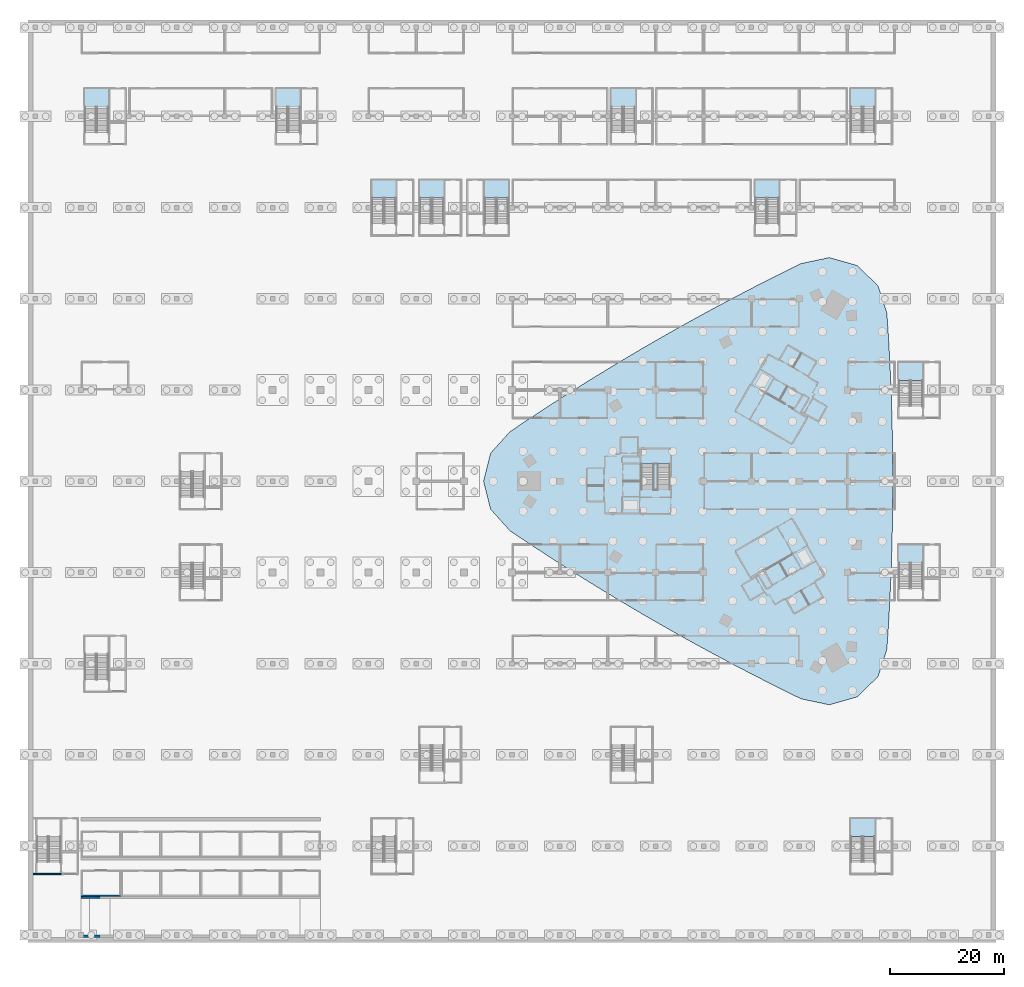
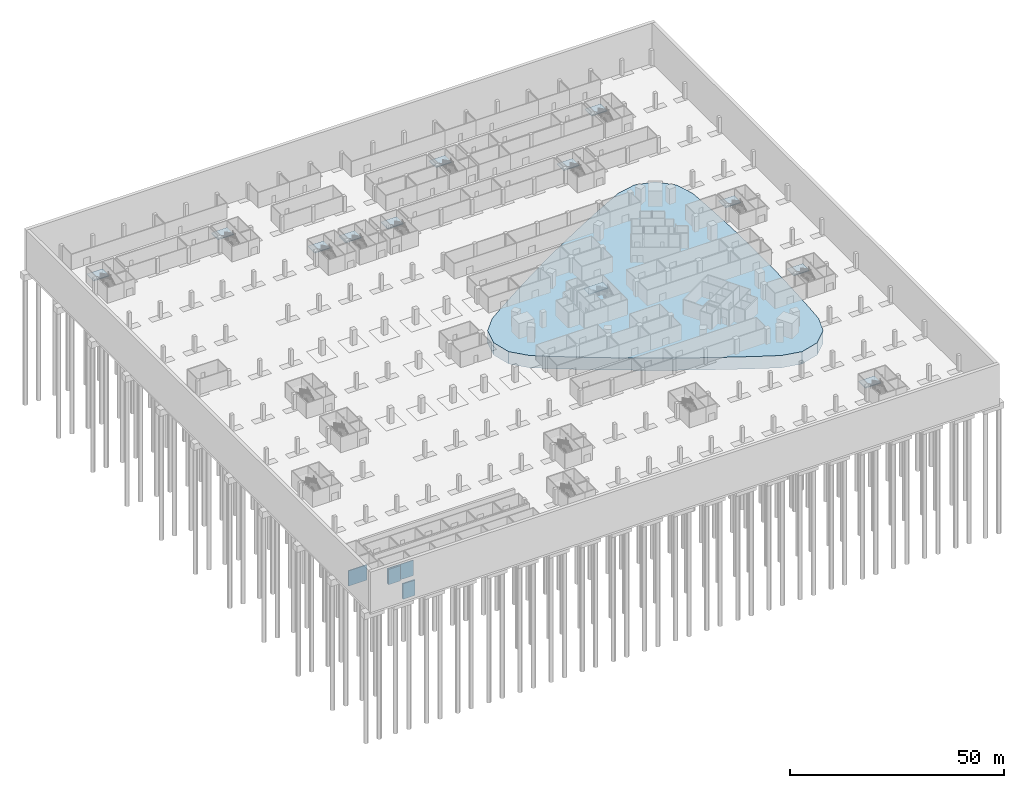
# One storey, part 5 of 46: 13 slabs, 4 walls, 12 elements without a shape of their own.
"""IFC4 building model written with IfcOpenShell, lengths in metres."""

from ifc_helpers import new_model, si_unit, direction, frame, frame_2d, origin, place, context, subcontext, project, spatial, polyline, rectangle, outline, extrude, material, layer, layer_set, type_object, element, aggregate, save


model = new_model("IFC4")

# Units and contexts
model_context = context("Model", 3, precision=1e-05, world=origin(), true_north=direction((0.0, 1.0)))
body_context = subcontext(model_context, "Body", "Model", "MODEL_VIEW")
ifc_project = project(units=[si_unit("LENGTHUNIT", "METRE"), si_unit("AREAUNIT", "SQUARE_METRE"), si_unit("VOLUMEUNIT", "CUBIC_METRE"), si_unit("PLANEANGLEUNIT", "RADIAN"), si_unit("MASSUNIT", "GRAM", prefix="KILO")], contexts=[model_context])

# Site, building, storey
site_placement = place(None, origin())
site = spatial("IfcSite", under=ifc_project, at=site_placement, CompositionType="ELEMENT")
building_placement = place(site_placement, origin())
building = spatial("IfcBuilding", under=site, at=building_placement, Name="Tamra Quay Hotel Tower", CompositionType="ELEMENT")
storey_placement = place(building_placement, frame((0.0, 0.0, -12.0)))
storey = spatial("IfcBuildingStorey", under=building, at=storey_placement, Name="B3", CompositionType="ELEMENT", Elevation=-12.0)

# Stair, slab
ifc_material_1 = material(Name="Basement exit stair")
stair_type_1 = type_object("IfcStairType", Name="Basement exit stair", PredefinedType="HALF_TURN_STAIR", material=ifc_material_1)
stair_1_placement = place(storey_placement, origin())
stair_1 = element("IfcStair", 1, at=stair_1_placement, inside=storey, type_object=stair_type_1, Name="B3 Basement Exit Stair BS2", PredefinedType="HALF_TURN_STAIR")
ifc_material_2 = material(Name="Concrete M60", Category="concrete")
ifc_layer_1 = layer(ifc_material_2, 0.199951171875)
ifc_layer_set_1 = layer_set([ifc_layer_1], Name="Concrete M60 basement stair landing 200")
slab_type_1 = type_object("IfcSlabType", Name="Concrete M60 basement stair landing 200", PredefinedType="LANDING", material=ifc_layer_set_1)
slab_1_placement = place(storey_placement, frame((0.0, 0.0, 2.199951171875)))
slab_1 = element("IfcSlab", 2, at=slab_1_placement, type_object=slab_type_1, Name="BS2 landing 1", PredefinedType="LANDING", context=body_context, shape_type="SweptSolid", body=[
    extrude(outline(polyline([(-109.449951171875, 65.679931640625), (-109.449951171875, 68.85009765625), (-113.699951171875, 68.85009765625), (-113.699951171875, 65.679931640625), (-109.449951171875, 65.679931640625)])), origin(), (0.0, 0.0, 1.0), 0.199951171875),
])
aggregate(stair_1, [slab_1])

stair_2_placement = place(storey_placement, origin())
stair_2 = element("IfcStair", 3, at=stair_2_placement, inside=storey, type_object=stair_type_1, Name="B3 Basement Exit Stair BS5", PredefinedType="HALF_TURN_STAIR")
slab_2_placement = place(storey_placement, frame((0.0, 0.0, 2.199951171875)))
slab_2 = element("IfcSlab", 4, at=slab_2_placement, type_object=slab_type_1, Name="BS5 landing 1", PredefinedType="LANDING", context=body_context, shape_type="SweptSolid", body=[
    extrude(outline(polyline([(-75.85009765625, 65.679931640625), (-75.85009765625, 68.85009765625), (-80.10009765625, 68.85009765625), (-80.10009765625, 65.679931640625), (-75.85009765625, 65.679931640625)])), origin(), (0.0, 0.0, 1.0), 0.199951171875),
])
aggregate(stair_2, [slab_2])

stair_3_placement = place(storey_placement, origin())
stair_3 = element("IfcStair", 5, at=stair_3_placement, inside=storey, type_object=stair_type_1, Name="B3 Basement Exit Stair BS7", PredefinedType="HALF_TURN_STAIR")
slab_3_placement = place(storey_placement, frame((0.0, 0.0, 2.199951171875)))
slab_3 = element("IfcSlab", 6, at=slab_3_placement, type_object=slab_type_1, Name="BS7 landing 1", PredefinedType="LANDING", context=body_context, shape_type="SweptSolid", body=[
    extrude(outline(polyline([(-59.050048828125, 49.679931640625), (-59.050048828125, 52.85009765625), (-63.300048828125, 52.85009765625), (-63.300048828125, 49.679931640625), (-59.050048828125, 49.679931640625)])), origin(), (0.0, 0.0, 1.0), 0.199951171875),
])
aggregate(stair_3, [slab_3])

stair_4_placement = place(storey_placement, origin())
stair_4 = element("IfcStair", 7, at=stair_4_placement, inside=storey, type_object=stair_type_1, Name="B3 Basement Exit Stair BS9", PredefinedType="HALF_TURN_STAIR")
slab_4_placement = place(storey_placement, frame((0.0, 0.0, 2.199951171875)))
slab_4 = element("IfcSlab", 8, at=slab_4_placement, type_object=slab_type_1, Name="BS9 landing 1", PredefinedType="LANDING", context=body_context, shape_type="SweptSolid", body=[
    extrude(outline(polyline([(-50.64990234375, 49.679931640625), (-50.64990234375, 52.85009765625), (-54.89990234375, 52.85009765625), (-54.89990234375, 49.679931640625), (-50.64990234375, 49.679931640625)])), origin(), (0.0, 0.0, 1.0), 0.199951171875),
])
aggregate(stair_4, [slab_4])

stair_5_placement = place(storey_placement, origin())
stair_5 = element("IfcStair", 9, at=stair_5_placement, inside=storey, type_object=stair_type_1, Name="B3 Basement Exit Stair BS11", PredefinedType="HALF_TURN_STAIR")
slab_5_placement = place(storey_placement, frame((0.0, 0.0, 2.199951171875)))
slab_5 = element("IfcSlab", 10, at=slab_5_placement, type_object=slab_type_1, Name="BS11 landing 1", PredefinedType="LANDING", context=body_context, shape_type="SweptSolid", body=[
    extrude(outline(polyline([(-17.050048828125, 65.679931640625), (-17.050048828125, 68.85009765625), (-21.300048828125, 68.85009765625), (-21.300048828125, 65.679931640625), (-17.050048828125, 65.679931640625)])), origin(), (0.0, 0.0, 1.0), 0.199951171875),
])
aggregate(stair_5, [slab_5])

stair_6_placement = place(storey_placement, origin())
stair_6 = element("IfcStair", 11, at=stair_6_placement, inside=storey, type_object=stair_type_1, Name="B3 Basement Exit Stair BS12", PredefinedType="HALF_TURN_STAIR")
slab_6_placement = place(storey_placement, frame((0.0, 0.0, 2.199951171875)))
slab_6 = element("IfcSlab", 12, at=slab_6_placement, type_object=slab_type_1, Name="BS12 landing 1", PredefinedType="LANDING", context=body_context, shape_type="SweptSolid", body=[
    extrude(outline(polyline([(8.14990234375, 49.679931640625), (8.14990234375, 52.85009765625), (3.89990234375, 52.85009765625), (3.89990234375, 49.679931640625), (8.14990234375, 49.679931640625)])), origin(), (0.0, 0.0, 1.0), 0.199951171875),
])
aggregate(stair_6, [slab_6])

stair_7_placement = place(storey_placement, origin())
stair_7 = element("IfcStair", 13, at=stair_7_placement, inside=storey, type_object=stair_type_1, Name="B3 Basement Exit Stair BS13", PredefinedType="HALF_TURN_STAIR")
slab_7_placement = place(storey_placement, frame((0.0, 0.0, 2.199951171875)))
slab_7 = element("IfcSlab", 14, at=slab_7_placement, type_object=slab_type_1, Name="BS13 landing 1", PredefinedType="LANDING", context=body_context, shape_type="SweptSolid", body=[
    extrude(outline(polyline([(24.949951171875, -62.320068359375), (24.949951171875, -59.14990234375), (20.699951171875, -59.14990234375), (20.699951171875, -62.320068359375), (24.949951171875, -62.320068359375)])), origin(), (0.0, 0.0, 1.0), 0.199951171875),
])
aggregate(stair_7, [slab_7])

stair_8_placement = place(storey_placement, origin())
stair_8 = element("IfcStair", 15, at=stair_8_placement, inside=storey, type_object=stair_type_1, Name="B3 Basement Exit Stair BS14", PredefinedType="HALF_TURN_STAIR")
slab_8_placement = place(storey_placement, frame((0.0, 0.0, 2.199951171875)))
slab_8 = element("IfcSlab", 16, at=slab_8_placement, type_object=slab_type_1, Name="BS14 landing 1", PredefinedType="LANDING", context=body_context, shape_type="SweptSolid", body=[
    extrude(outline(polyline([(24.949951171875, 65.679931640625), (24.949951171875, 68.85009765625), (20.699951171875, 68.85009765625), (20.699951171875, 65.679931640625), (24.949951171875, 65.679931640625)])), origin(), (0.0, 0.0, 1.0), 0.199951171875),
])
aggregate(stair_8, [slab_8])

stair_9_placement = place(storey_placement, origin())
stair_9 = element("IfcStair", 17, at=stair_9_placement, inside=storey, type_object=stair_type_1, Name="B3 Basement Exit Stair BS15", PredefinedType="HALF_TURN_STAIR")
slab_9_placement = place(storey_placement, frame((0.0, 0.0, 2.199951171875)))
slab_9 = element("IfcSlab", 18, at=slab_9_placement, type_object=slab_type_1, Name="BS15 landing 1", PredefinedType="LANDING", context=body_context, shape_type="SweptSolid", body=[
    extrude(outline(polyline([(33.35009765625, -14.320068359375), (33.35009765625, -11.14990234375), (29.10009765625, -11.14990234375), (29.10009765625, -14.320068359375), (33.35009765625, -14.320068359375)])), origin(), (0.0, 0.0, 1.0), 0.199951171875),
])
aggregate(stair_9, [slab_9])

stair_10_placement = place(storey_placement, origin())
stair_10 = element("IfcStair", 19, at=stair_10_placement, inside=storey, type_object=stair_type_1, Name="B3 Basement Exit Stair BS16", PredefinedType="HALF_TURN_STAIR")
slab_10_placement = place(storey_placement, frame((0.0, 0.0, 2.199951171875)))
slab_10 = element("IfcSlab", 20, at=slab_10_placement, type_object=slab_type_1, Name="BS16 landing 1", PredefinedType="LANDING", context=body_context, shape_type="SweptSolid", body=[
    extrude(outline(polyline([(33.35009765625, 17.679931640625), (33.35009765625, 20.85009765625), (29.10009765625, 20.85009765625), (29.10009765625, 17.679931640625), (33.35009765625, 17.679931640625)])), origin(), (0.0, 0.0, 1.0), 0.199951171875),
])
aggregate(stair_10, [slab_10])

stair_11_placement = place(storey_placement, origin())
stair_11 = element("IfcStair", 21, at=stair_11_placement, inside=storey, type_object=stair_type_1, Name="B3 Basement Exit Stair BS17", PredefinedType="HALF_TURN_STAIR")
slab_11_placement = place(storey_placement, frame((0.0, 0.0, 2.199951171875)))
slab_11 = element("IfcSlab", 22, at=slab_11_placement, type_object=slab_type_1, Name="BS17 landing 1", PredefinedType="LANDING", context=body_context, shape_type="SweptSolid", body=[
    extrude(outline(polyline([(-39.300048828125, 49.679931640625), (-39.300048828125, 52.85009765625), (-43.550048828125, 52.85009765625), (-43.550048828125, 49.679931640625), (-39.300048828125, 49.679931640625)])), origin(), (0.0, 0.0, 1.0), 0.199951171875),
])
aggregate(stair_11, [slab_11])

ifc_material_3 = material(Name="Exit stair 2200 32 risers 150.0 going 299")
stair_type_2 = type_object("IfcStairType", Name="Exit stair 2200 32 risers 150.0 going 299", PredefinedType="HALF_TURN_STAIR", material=ifc_material_3)
stair_12_placement = place(storey_placement, origin())
stair_12 = element("IfcStair", 23, at=stair_12_placement, inside=storey, type_object=stair_type_2, Name="B3 Exit stair ST3", PredefinedType="HALF_TURN_STAIR")
ifc_material_4 = material(Name="Concrete M70", Category="concrete")
ifc_layer_2 = layer(ifc_material_4, 0.175048828125)
ifc_layer_set_2 = layer_set([ifc_layer_2], Name="Concrete M70 stair landing 180")
slab_type_2 = type_object("IfcSlabType", Name="Concrete M70 stair landing 180", PredefinedType="LANDING", material=ifc_layer_set_2)
slab_12_placement = place(storey_placement, frame((0.0, 0.0, 2.22509765625)))
slab_12 = element("IfcSlab", 24, at=slab_12_placement, type_object=slab_type_2, Name="ST3 landing 1", PredefinedType="LANDING", context=body_context, shape_type="SweptSolid", body=[
    extrude(outline(polyline([(-10.932373046875, 2.98486328125), (-10.932373046875, 5.679931640625), (-16.09130859375, 5.679931640625), (-16.09130859375, 2.98486328125), (-10.932373046875, 2.98486328125)])), origin(), (0.0, 0.0, 1.0), 0.1748046875),
])
aggregate(stair_12, [slab_12])

# Slab
ifc_material_5 = material(Name="Concrete M50", Category="concrete")
ifc_layer_3 = layer(ifc_material_5, 3.5)
ifc_layer_set_3 = layer_set([ifc_layer_3], Name="RAFT 3500")
slab_type_3 = type_object("IfcSlabType", Name="RAFT 3500", PredefinedType="BASESLAB", material=ifc_layer_set_3)
slab_13_placement = place(storey_placement, frame((0.0, 0.0, -3.5)))
element("IfcSlab", 25, at=slab_13_placement, inside=storey, type_object=slab_type_3, Name="RAFT-1", PredefinedType="BASESLAB", context=body_context, shape_type="SweptSolid", body=[
    extrude(outline(polyline([(27.063720703125, 29.466552734375), (25.493896484375, 34.298095703125), (21.83935546875, 37.826904296875), (16.9560546875, 39.227294921875), (11.98681640625, 38.171142578125), (7.922119140625, 36.163818359375), (3.872802734375, 34.109375), (-0.14990234375, 32.013671875), (-4.149658203125, 29.87451171875), (-8.13037109375, 27.689697265625), (-12.0830078125, 25.46435546875), (-16.01123046875, 23.1962890625), (-19.914794921875, 20.885986328125), (-23.797119140625, 18.531005859375), (-27.649658203125, 16.136474609375), (-31.47607421875, 13.70068359375), (-35.27978515625, 11.22119140625), (-39.05078125, 8.70458984375), (-42.449951171875, 4.92919921875), (-43.678955078125, 0.0), (-42.449951171875, -4.92919921875), (-39.05078125, -8.70458984375), (-35.27978515625, -11.22119140625), (-31.47607421875, -13.70068359375), (-27.649658203125, -16.136474609375), (-23.797119140625, -18.531005859375), (-19.914794921875, -20.885986328125), (-16.01123046875, -23.1962890625), (-12.0830078125, -25.46435546875), (-8.13037109375, -27.689697265625), (-4.149658203125, -29.87451171875), (-0.14990234375, -32.013671875), (3.872802734375, -34.109375), (7.922119140625, -36.163818359375), (11.98681640625, -38.171142578125), (16.9560546875, -39.227294921875), (21.83935546875, -37.826904296875), (25.493896484375, -34.298095703125), (27.063720703125, -29.466552734375), (27.357666015625, -24.942626953125), (27.60302734375, -20.40869140625), (27.799560546875, -15.876953125), (27.94677734375, -11.343505859375), (28.045166015625, -6.8037109375), (28.09423828125, -2.26806640625), (28.09423828125, 2.26806640625), (28.045166015625, 6.8037109375), (27.94677734375, 11.343505859375), (27.799560546875, 15.876953125), (27.60302734375, 20.40869140625), (27.357666015625, 24.942626953125), (27.063720703125, 29.466552734375)])), origin(), (0.0, 0.0, 1.0), 3.5),
])

# Walls
ifc_material_6 = material(Name="Blockwork", Category="masonry")
ifc_layer_4 = layer(ifc_material_6, 0.199951171875)
ifc_layer_set_4 = layer_set([ifc_layer_4], Name="Car park room wall 200")
wall_type_1 = type_object("IfcWallType", Name="Car park room wall 200", PredefinedType="PARTITIONING", material=ifc_layer_set_4)
wall_1_placement = place(storey_placement, frame((-114.300048828125, -72.699951171875, 0.0), z_axis=(0.0, 0.0, 1.0), x_axis=(1.0, 0.0, 0.0)))
element("IfcWall", 26, at=wall_1_placement, inside=storey, type_object=wall_type_1, Name="PW", PredefinedType="PARTITIONING", context=body_context, shape_type="SweptSolid", body=[
    extrude(rectangle(XDim=7.0, YDim=0.199951171875, at=frame_2d((3.5, 0.0))), origin(), (0.0, 0.0, 1.0), 4.39990234375),
])
ifc_layer_5 = layer(ifc_material_2, 0.39990234375)
ifc_layer_set_5 = layer_set([ifc_layer_5], Name="Concrete M60 ramp kerb wall 400")
wall_type_2 = type_object("IfcWallType", Name="Concrete M60 ramp kerb wall 400", PredefinedType="SOLIDWALL", material=ifc_layer_set_5)
for number, where, z_axis, x_axis, name in (
    (27, (-114.300048828125, -79.800048828125, 0.0), (0.0, 0.0, 1.0), (1.0, 0.0, 0.0), "RW4"),
    (28, (-114.300048828125, -73.0, 0.0), (0.0, 0.0, 1.0), (1.0, 0.0, 0.0), "RW4"),
):
    element("IfcWall", number, at=place(storey_placement, frame(where, z_axis=z_axis, x_axis=x_axis)), inside=storey, type_object=wall_type_2, Name=name, PredefinedType="SOLIDWALL", context=body_context, shape_type="SweptSolid", body=[
        extrude(rectangle(XDim=3.300048828125, YDim=0.39990234375, at=frame_2d((1.64990234375, 0.0))), origin(), (0.0, 0.0, 1.0), 4.39990234375),
    ])
ifc_layer_6 = layer(ifc_material_4, 0.199951171875)
ifc_layer_set_6 = layer_set([ifc_layer_6], Name="Concrete M70 stair enclosure wall 200")
wall_type_3 = type_object("IfcWallType", Name="Concrete M70 stair enclosure wall 200", PredefinedType="SOLIDWALL", material=ifc_layer_set_6)
wall_2_placement = place(storey_placement, frame((-117.699951171875, -68.89990234375, 0.0), z_axis=(0.0, 0.0, 1.0), x_axis=(-1.0, 0.0, 0.0)))
element("IfcWall", 29, at=wall_2_placement, inside=storey, type_object=wall_type_3, Name="SEW", PredefinedType="SOLIDWALL", context=body_context, shape_type="SweptSolid", body=[
    extrude(rectangle(XDim=5.0, YDim=0.199951171875, at=frame_2d((2.5, 0.0))), origin(), (0.0, 0.0, 1.0), 4.39990234375),
])

save(model, "model.ifc")
